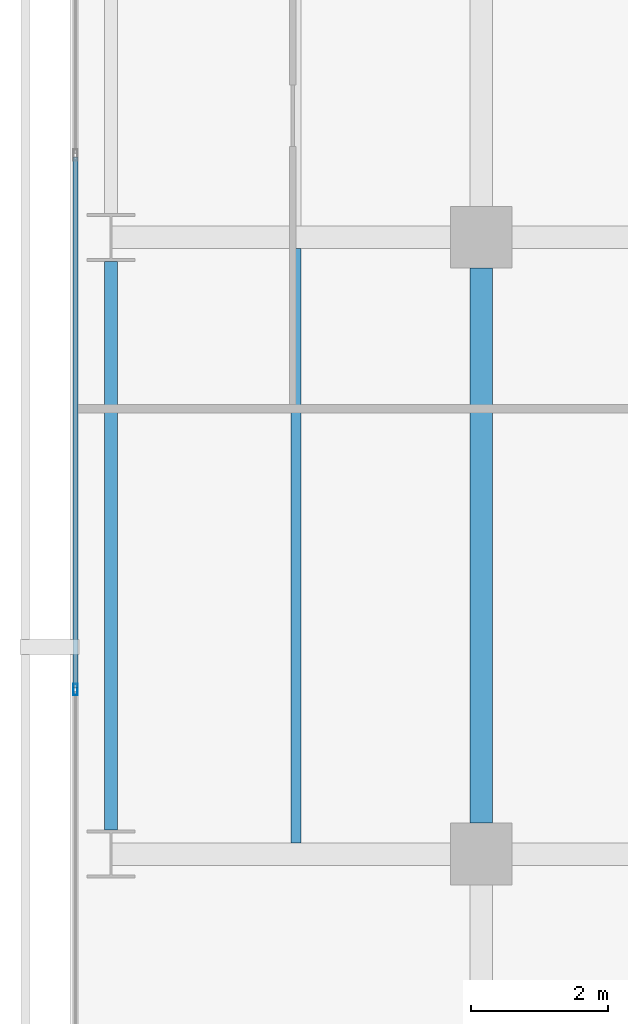
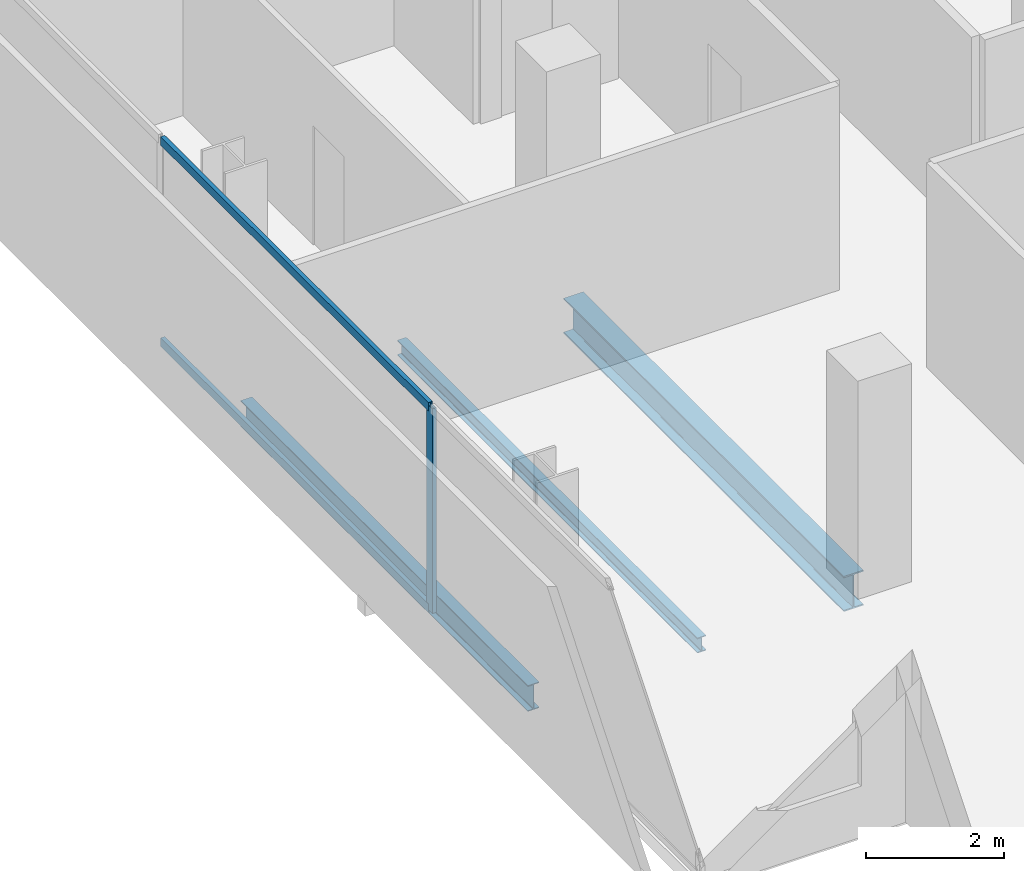
# One storey, part 5 of 39: 3 beams, 3 members, 1 element without a shape of its own.
"""IFC4 building model written with IfcOpenShell, lengths in metres."""

from ifc_helpers import new_model, si_unit, direction, frame, origin, origin_2d, place, context, subcontext, project, spatial, hollow_rectangle, i_section, extrude, material, layer, layer_set, material_profile, profile_set, type_object, element, aggregate, save


model = new_model("IFC4")

# Units and contexts
model_context = context("Model", 3, precision=1e-05, world=origin(), true_north=direction((0.0, 1.0)))
body_context = subcontext(model_context, "Body", "Model", "MODEL_VIEW")
ifc_project = project(units=[si_unit("LENGTHUNIT", "METRE"), si_unit("AREAUNIT", "SQUARE_METRE"), si_unit("VOLUMEUNIT", "CUBIC_METRE"), si_unit("PLANEANGLEUNIT", "RADIAN"), si_unit("MASSUNIT", "GRAM", prefix="KILO")], contexts=[model_context])

# Site, building, storey
site_placement = place(None, origin())
site = spatial("IfcSite", under=ifc_project, at=site_placement, CompositionType="ELEMENT")
building_placement = place(site_placement, origin())
building = spatial("IfcBuilding", under=site, at=building_placement, Name="Maruvema Waterfront Hotel and Observation Tower", CompositionType="ELEMENT")
storey_placement = place(building_placement, frame((0.0, 0.0, 65.449951171875)))
storey = spatial("IfcBuildingStorey", under=building, at=storey_placement, Name="L15", CompositionType="ELEMENT", Elevation=65.449951171875)

# Curtain wall, members
ifc_material_1 = material(Name="Anodised bronze aluminium and solar-control low-E IGU", Category="aluminium")
ifc_layer = layer(ifc_material_1, 0.159912109375, Name="Zone 1 Bronze Inner Thermal Curtain Wall System CW-02")
ifc_layer_set = layer_set([ifc_layer], Name="Anodised bronze aluminium and solar-control low-E IGU")
curtain_wall_type = type_object("IfcCurtainWallType", Name="Zone 1 Bronze Inner Thermal Curtain Wall System CW-02", PredefinedType="USERDEFINED", material=ifc_layer_set)
curtain_wall_placement = place(storey_placement, origin())
curtain_wall = element("IfcCurtainWall", 1, at=curtain_wall_placement, inside=storey, type_object=curtain_wall_type, Name="L15 Curtain Wall CW-L15-W", ObjectType="UNITISED CURTAIN WALL", PredefinedType="USERDEFINED")
ifc_material_2 = material(Name="Anodised architectural bronze aluminium", Category="aluminium")
ifc_material_profile_1 = material_profile(ifc_material_2, hollow_rectangle(XDim=0.070068359375, YDim=0.14990234375, WallThickness=0.00390625, at=origin_2d()), Name="ALU-T70x150")
ifc_profile_set_1 = profile_set([ifc_material_profile_1], Name="Anodised architectural bronze aluminium")
member_type_1 = type_object("IfcMemberType", Name="Curtain Wall Horizontal Transom ALU-T70x150", PredefinedType="USERDEFINED", material=ifc_profile_set_1)
member_1_placement = place(storey_placement, frame((10.8798828125, 19.169921875, 0.030029296875), z_axis=(0.0, -1.0, 0.0), x_axis=(1.0, 0.0, 0.0)))
member_1 = element("IfcMember", 2, at=member_1_placement, type_object=member_type_1, Name="CW-02 transom 5.1", ObjectType="TRANSOM", PredefinedType="USERDEFINED", context=body_context, shape_type="SweptSolid", body=[
    extrude(hollow_rectangle(XDim=0.070068359375, YDim=0.14990234375, WallThickness=0.00390625, at=origin_2d()), origin(), (0.0, 0.0, 1.0), 7.739990234375),
])
member_2_placement = place(storey_placement, frame((10.8798828125, 19.169921875, 3.580078125), z_axis=(0.0, -1.0, 0.0), x_axis=(1.0, 0.0, 0.0)))
member_2 = element("IfcMember", 3, at=member_2_placement, type_object=member_type_1, Name="CW-02 transom 5.2", ObjectType="TRANSOM", PredefinedType="USERDEFINED", context=body_context, shape_type="SweptSolid", body=[
    extrude(hollow_rectangle(XDim=0.070068359375, YDim=0.14990234375, WallThickness=0.00390625, at=origin_2d()), origin(), (0.0, 0.0, 1.0), 7.739990234375),
])
ifc_material_3 = material(Name="Anodised architectural bronze aluminium", Category="aluminium")
ifc_material_profile_2 = material_profile(ifc_material_3, hollow_rectangle(XDim=0.06494140625, YDim=0.1650390625, WallThickness=0.00390625, at=origin_2d()), Name="ALU-M65x165")
ifc_profile_set_2 = profile_set([ifc_material_profile_2], Name="Anodised architectural bronze aluminium")
member_type_2 = type_object("IfcMemberType", Name="Curtain Wall Primary Mullion ALU-M65x165", PredefinedType="MULLION", material=ifc_profile_set_2)
member_3_placement = place(storey_placement, frame((10.8798828125, 11.39990234375, 0.0), z_axis=(0.0, 0.0, 1.0), x_axis=(1.0, 0.0, 0.0)))
member_3 = element("IfcMember", 4, at=member_3_placement, type_object=member_type_2, Name="CW-02 mullion 6", PredefinedType="MULLION", context=body_context, shape_type="SweptSolid", body=[
    extrude(hollow_rectangle(XDim=0.06494140625, YDim=0.1650390625, WallThickness=0.00390625, at=origin_2d()), origin(), (0.0, 0.0, 1.0), 3.610107421875),
])
aggregate(curtain_wall, [member_3, member_1, member_2])

# Beams
ifc_material_4 = material(Name="Steel ASTM A572 Grade 50", Category="steel")
ifc_material_profile_3 = material_profile(ifc_material_4, i_section(OverallWidth=0.18994140625, OverallDepth=0.45703125, WebThickness=0.009033203125, FlangeThickness=0.014404296875, FilletRadius=0.014892578125, at=origin_2d()), Name="W460x74.0")
ifc_profile_set_3 = profile_set([ifc_material_profile_3], Name="Steel ASTM A572 Grade 50")
beam_type_1 = type_object("IfcBeamType", Name="Perimeter Spandrel Beam W460x74.0", PredefinedType="SPANDREL", material=ifc_profile_set_3)
beam_1_placement = place(storey_placement, frame((11.39990234375, 9.35009765625, -0.468505859375), z_axis=(0.0, 1.0, 0.0), x_axis=(-1.0, 0.0, 0.0)))
element("IfcBeam", 5, at=beam_1_placement, inside=storey, type_object=beam_type_1, Name="L15 Floor Girder NS-01", PredefinedType="SPANDREL", context=body_context, shape_type="SweptSolid", body=[
    extrude(i_section(OverallWidth=0.18994140625, OverallDepth=0.45703125, WebThickness=0.009033203125, FlangeThickness=0.014404296875, FilletRadius=0.014892578125, at=origin_2d()), origin(), (0.0, 0.0, 1.0), 8.2998046875),
])
ifc_material_5 = material(Name="Steel ASTM A572 Grade 50", Category="steel")
ifc_material_profile_4 = material_profile(ifc_material_5, i_section(OverallWidth=0.326904296875, OverallDepth=0.6220703125, WebThickness=0.015380859375, FlangeThickness=0.0244140625, FilletRadius=0.01806640625, at=origin_2d()), Name="W610x195.0")
ifc_profile_set_4 = profile_set([ifc_material_profile_4], Name="Steel ASTM A572 Grade 50")
beam_type_2 = type_object("IfcBeamType", Name="Primary Floor Girder W610x195.0", PredefinedType="BEAM", material=ifc_profile_set_4)
beam_2_placement = place(storey_placement, frame((16.800048828125, 9.449951171875, -0.551025390625), z_axis=(0.0, 1.0, 0.0), x_axis=(-1.0, 0.0, 0.0)))
element("IfcBeam", 6, at=beam_2_placement, inside=storey, type_object=beam_type_2, Name="L15 Floor Girder NS-06", PredefinedType="BEAM", context=body_context, shape_type="SweptSolid", body=[
    extrude(i_section(OverallWidth=0.326904296875, OverallDepth=0.6220703125, WebThickness=0.015380859375, FlangeThickness=0.0244140625, FilletRadius=0.01806640625, at=origin_2d()), origin(), (0.0, 0.0, 1.0), 8.10009765625),
])
ifc_material_6 = material(Name="Steel ASTM A572 Grade 50", Category="steel")
ifc_material_profile_5 = material_profile(ifc_material_6, i_section(OverallWidth=0.14794921875, OverallDepth=0.26611328125, WebThickness=0.007568359375, FlangeThickness=0.012939453125, FilletRadius=0.012939453125, at=origin_2d()), Name="W250x44.8")
ifc_profile_set_5 = profile_set([ifc_material_profile_5], Name="Steel ASTM A572 Grade 50")
beam_type_3 = type_object("IfcBeamType", Name="Secondary Floor Joist W250x44.8", PredefinedType="JOIST", material=ifc_profile_set_5)
beam_3_placement = place(storey_placement, frame((14.10009765625, 9.16357421875, -0.373046875), z_axis=(0.0, 1.0, 0.0), x_axis=(-1.0, 0.0, 0.0)))
element("IfcBeam", 7, at=beam_3_placement, inside=storey, type_object=beam_type_3, Name="L15 Secondary Floor Joist JS-01", PredefinedType="JOIST", context=body_context, shape_type="SweptSolid", body=[
    extrude(i_section(OverallWidth=0.14794921875, OverallDepth=0.26611328125, WebThickness=0.007568359375, FlangeThickness=0.012939453125, FilletRadius=0.012939453125, at=origin_2d()), origin(), (0.0, 0.0, 1.0), 8.6728515625),
])

save(model, "model.ifc")
